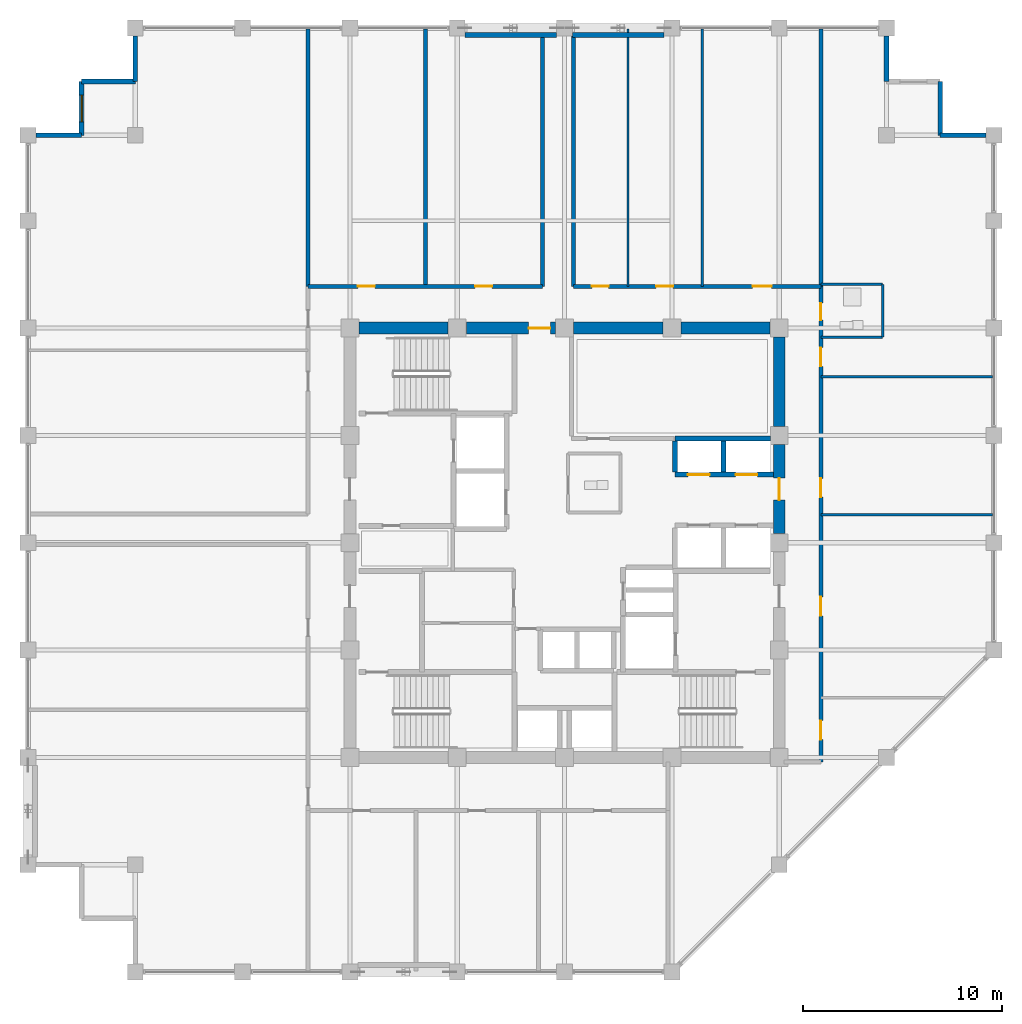
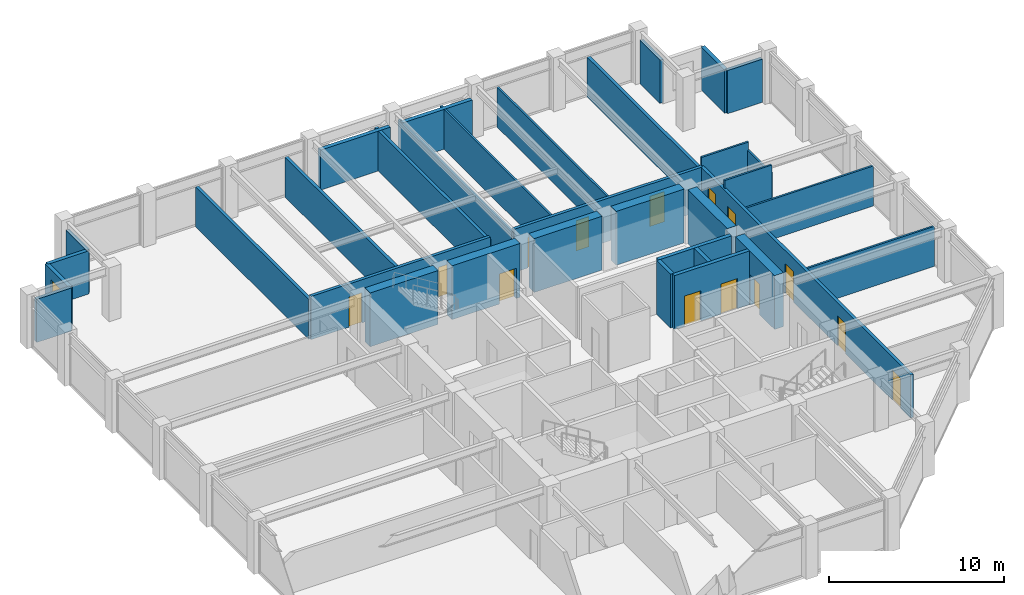
# One storey, part 29 of 32: 34 walls, 14 doors, 1 window, 15 openings.
"""IFC4 building model written with IfcOpenShell, lengths in metres."""

from ifc_helpers import new_model, si_unit, direction, frame, frame_2d, origin, place, context, subcontext, project, spatial, rectangle, extrude, material, layer, layer_set, type_object, element, fill, save


model = new_model("IFC4")

# Units and contexts
model_context = context("Model", 3, precision=1e-05, world=origin(), true_north=direction((0.0, 1.0)))
body_context = subcontext(model_context, "Body", "Model", "MODEL_VIEW")
ifc_project = project(units=[si_unit("LENGTHUNIT", "METRE"), si_unit("AREAUNIT", "SQUARE_METRE"), si_unit("VOLUMEUNIT", "CUBIC_METRE"), si_unit("PLANEANGLEUNIT", "RADIAN"), si_unit("MASSUNIT", "GRAM", prefix="KILO")], contexts=[model_context])

# Site, building, storey
site_placement = place(None, origin())
site = spatial("IfcSite", under=ifc_project, at=site_placement, CompositionType="ELEMENT")
building_placement = place(site_placement, origin())
building = spatial("IfcBuilding", under=site, at=building_placement, Name="Surkhivell Harbour Commons", CompositionType="ELEMENT")
storey_placement = place(building_placement, frame((0.0, 0.0, 216.0)))
storey = spatial("IfcBuildingStorey", under=building, at=storey_placement, Name="L56", CompositionType="ELEMENT", Elevation=216.0)

# Wall
ifc_material_1 = material(Name="Concrete C60/75", Category="concrete")
ifc_layer_1 = layer(ifc_material_1, 0.60009765625)
ifc_layer_set_1 = layer_set([ifc_layer_1], Name="Concrete C60/75")
wall_type_1 = type_object("IfcWallType", Name="WAL-CORE-600", PredefinedType="SHEAR", material=ifc_layer_set_1)
wall_1_placement = place(storey_placement, frame((-10.340087890625, 10.800048828125, 0.0), z_axis=(0.0, 0.0, 1.0), x_axis=(1.0, 0.0, 0.0)))
element("IfcWall", 1, at=wall_1_placement, inside=storey, type_object=wall_type_1, Name="L56 Core Shear Wall North 1", PredefinedType="SHEAR", context=body_context, shape_type="SweptSolid", body=[
    extrude(rectangle(XDim=4.47998046875, YDim=0.60009765625, at=frame_2d((2.239990234375, 0.0))), origin(), (0.0, 0.0, 1.0), 3.75),
])

# Wall, opening, door
wall_2_placement = place(storey_placement, frame((-4.93994140625, 10.800048828125, 0.0), z_axis=(0.0, 0.0, 1.0), x_axis=(1.0, 0.0, 0.0)))
wall_2 = element("IfcWall", 2, at=wall_2_placement, inside=storey, type_object=wall_type_1, Name="L56 Core Shear Wall North 2", PredefinedType="SHEAR", context=body_context, shape_type="SweptSolid", body=[
    extrude(rectangle(XDim=4.47998046875, YDim=0.60009765625, at=frame_2d((2.239990234375, 0.0))), origin(), (0.0, 0.0, 1.0), 3.75),
])
opening_1_placement = place(wall_2_placement, frame((3.1298828125, 0.0, 0.0)))
opening_1 = element("IfcOpeningElement", 3, at=opening_1_placement, cuts=wall_2, Name="Opening ID-2", PredefinedType="OPENING", context=body_context, shape_type="SweptSolid", body=[
    extrude(rectangle(XDim=1.10009765625, YDim=2.10009765625, at=frame_2d((0.550048828125, 1.050048828125))), frame((0.0, 0.31005859375, 0.0), z_axis=(0.0, -1.0, 0.0), x_axis=(1.0, 0.0, 0.0)), (0.0, 0.0, 1.0), 0.6201171875),
])
ifc_material_2 = material(Name="Hardwood-veneered fire-rated door leaf", Category="wood")
door_type_1 = type_object("IfcDoorType", Name="DOR-FD60-1100", OperationType="NOTDEFINED", PredefinedType="DOOR", material=ifc_material_2)
door_1_placement = place(opening_1_placement, origin())
door_1 = element("IfcDoor", 4, at=door_1_placement, inside=storey, type_object=door_type_1, Name="L56 Central Core Lift Hall North Corridor Door", OperationType="SINGLE_SWING_LEFT", OverallHeight=2.10009765625, OverallWidth=1.10009765625, PredefinedType="DOOR", context=body_context, shape_type="SweptSolid", body=[
    extrude(rectangle(XDim=1.10009765625, YDim=2.10009765625, at=frame_2d((0.550048828125, 1.050048828125))), frame((0.0, 0.02490234375, 0.0), z_axis=(0.0, -1.0, 0.0), x_axis=(1.0, 0.0, 0.0)), (0.0, 0.0, 1.0), 0.050048828125),
])
fill(opening_1, door_1)

# Wall
wall_3_placement = place(storey_placement, frame((0.4599609375, 10.800048828125, 0.0), z_axis=(0.0, 0.0, 1.0), x_axis=(1.0, 0.0, 0.0)))
element("IfcWall", 5, at=wall_3_placement, inside=storey, type_object=wall_type_1, Name="L56 Core Shear Wall North 3", PredefinedType="SHEAR", context=body_context, shape_type="SweptSolid", body=[
    extrude(rectangle(XDim=4.47998046875, YDim=0.60009765625, at=frame_2d((2.239990234375, 0.0))), origin(), (0.0, 0.0, 1.0), 3.75),
])

# Wall, opening, door
wall_4_placement = place(storey_placement, frame((10.800048828125, 0.4599609375, 0.0), z_axis=(0.0, 0.0, 1.0), x_axis=(0.0, 1.0, 0.0)))
wall_4 = element("IfcWall", 6, at=wall_4_placement, inside=storey, type_object=wall_type_1, Name="L56 Core Shear Wall East 3", PredefinedType="SHEAR", context=body_context, shape_type="SweptSolid", body=[
    extrude(rectangle(XDim=4.47998046875, YDim=0.60009765625, at=frame_2d((2.239990234375, 0.0))), origin(), (0.0, 0.0, 1.0), 3.75),
])
opening_2_placement = place(wall_4_placement, frame((1.68994140625, 0.0, 0.0)))
opening_2 = element("IfcOpeningElement", 7, at=opening_2_placement, cuts=wall_4, Name="Opening ID-2", PredefinedType="OPENING", context=body_context, shape_type="SweptSolid", body=[
    extrude(rectangle(XDim=1.10009765625, YDim=2.10009765625, at=frame_2d((0.550048828125, 1.050048828125))), frame((0.0, 0.31005859375, 0.0), z_axis=(0.0, -1.0, 0.0), x_axis=(1.0, 0.0, 0.0)), (0.0, 0.0, 1.0), 0.6201171875),
])
door_2_placement = place(opening_2_placement, origin())
door_2 = element("IfcDoor", 8, at=door_2_placement, inside=storey, type_object=door_type_1, Name="L56 Mid-Rise Lobby East Door", OperationType="SINGLE_SWING_LEFT", OverallHeight=2.10009765625, OverallWidth=1.10009765625, PredefinedType="DOOR", context=body_context, shape_type="SweptSolid", body=[
    extrude(rectangle(XDim=1.10009765625, YDim=2.10009765625, at=frame_2d((0.550048828125, 1.050048828125))), frame((0.0, 0.02490234375, 0.0), z_axis=(0.0, -1.0, 0.0), x_axis=(1.0, 0.0, 0.0)), (0.0, 0.0, 1.0), 0.050048828125),
])
fill(opening_2, door_2)

# Walls
for number, where, z_axis, x_axis, name in (
    (9, (5.860107421875, 10.800048828125, 0.0), (0.0, 0.0, 1.0), (1.0, 0.0, 0.0), "L56 Core Shear Wall North 4"),
    (10, (10.800048828125, 5.860107421875, 0.0), (0.0, 0.0, 1.0), (0.0, 1.0, 0.0), "L56 Core Shear Wall East 4"),
):
    element("IfcWall", number, at=place(storey_placement, frame(where, z_axis=z_axis, x_axis=x_axis)), inside=storey, type_object=wall_type_1, Name=name, PredefinedType="SHEAR", context=body_context, shape_type="SweptSolid", body=[
        extrude(rectangle(XDim=4.47998046875, YDim=0.60009765625, at=frame_2d((2.239990234375, 0.0))), origin(), (0.0, 0.0, 1.0), 3.75),
    ])
ifc_material_3 = material(Name="Pale-metal insulated precast concrete C45/55", Category="concrete")
ifc_layer_2 = layer(ifc_material_3, 0.260009765625)
ifc_layer_set_2 = layer_set([ifc_layer_2], Name="Pale-metal insulated precast concrete C45/55")
wall_type_2 = type_object("IfcWallType", Name="WAL-EXT-MTL260", PredefinedType="STANDARD", material=ifc_layer_set_2)
for number, where, z_axis, x_axis, name in (
    (11, (-0.39794921875, 25.5400390625, 0.0), (0.0, 0.0, 1.0), (-1.0, 0.0, 0.0), "L56 Braced-Bay Insulated Spandrel Backing N"),
    (12, (5.001953125, 25.5400390625, 0.0), (0.0, 0.0, 1.0), (-1.0, 0.0, 0.0), "L56 Braced-Bay Insulated Spandrel Backing N2"),
):
    element("IfcWall", number, at=place(storey_placement, frame(where, z_axis=z_axis, x_axis=x_axis)), inside=storey, type_object=wall_type_2, Name=name, PredefinedType="STANDARD", context=body_context, shape_type="SweptSolid", body=[
        extrude(rectangle(XDim=4.60400390625, YDim=0.260009765625, at=frame_2d((2.302001953125, 0.0))), origin(), (0.0, 0.0, 1.0), 2.780029296875),
    ])
ifc_material_4 = material(Name="Bronze-ochre cassette precast concrete C45/55", Category="concrete")
ifc_layer_3 = layer(ifc_material_4, 0.239990234375)
ifc_layer_set_3 = layer_set([ifc_layer_3], Name="Bronze-ochre cassette precast concrete C45/55")
wall_type_3 = type_object("IfcWallType", Name="WAL-EXT-OCH240", PredefinedType="STANDARD", material=ifc_layer_set_3)
wall_5_placement = place(storey_placement, frame((21.201904296875, 20.5, 0.0), z_axis=(0.0, 0.0, 1.0), x_axis=(-1.0, 0.0, 0.0)))
element("IfcWall", 13, at=wall_5_placement, inside=storey, type_object=wall_type_3, Name="L56 Serrated Corner Facade Wall 03", PredefinedType="STANDARD", context=body_context, shape_type="SweptSolid", body=[
    extrude(rectangle(XDim=2.302001953125, YDim=0.239990234375, at=frame_2d((1.15087890625, 0.0))), origin(), (0.0, 0.0, 1.0), 3.006103515625),
])
wall_6_placement = place(storey_placement, frame((18.89990234375, 20.5, 0.0), z_axis=(0.0, 0.0, 1.0), x_axis=(0.0, 1.0, 0.0)))
element("IfcWall", 14, at=wall_6_placement, inside=storey, type_object=wall_type_3, Name="L56 Serrated Corner Facade Wall 04", PredefinedType="STANDARD", context=body_context, shape_type="SweptSolid", body=[
    extrude(rectangle(XDim=2.699951171875, YDim=0.239990234375, at=frame_2d((1.35009765625, 0.0))), origin(), (0.0, 0.0, 1.0), 3.006103515625),
])
for number, where, z_axis, x_axis, name in (
    (15, (16.199951171875, 23.199951171875, 0.0), (0.0, 0.0, 1.0), (0.0, 1.0, 0.0), "L56 Serrated Corner Facade Wall 06"),
    (16, (-21.60009765625, 25.501953125, 0.0), (0.0, 0.0, 1.0), (0.0, -1.0, 0.0), "L56 Serrated Corner Facade Wall 08"),
):
    element("IfcWall", number, at=place(storey_placement, frame(where, z_axis=z_axis, x_axis=x_axis)), inside=storey, type_object=wall_type_3, Name=name, PredefinedType="STANDARD", context=body_context, shape_type="SweptSolid", body=[
        extrude(rectangle(XDim=2.302001953125, YDim=0.239990234375, at=frame_2d((1.15087890625, 0.0))), origin(), (0.0, 0.0, 1.0), 3.006103515625),
    ])
wall_7_placement = place(storey_placement, frame((-21.60009765625, 23.199951171875, 0.0), z_axis=(0.0, 0.0, 1.0), x_axis=(-1.0, 0.0, 0.0)))
element("IfcWall", 17, at=wall_7_placement, inside=storey, type_object=wall_type_3, Name="L56 Serrated Corner Facade Wall 09", PredefinedType="STANDARD", context=body_context, shape_type="SweptSolid", body=[
    extrude(rectangle(XDim=2.699951171875, YDim=0.239990234375, at=frame_2d((1.35009765625, 0.0))), origin(), (0.0, 0.0, 1.0), 3.006103515625),
])

# Wall, opening, window
wall_8_placement = place(storey_placement, frame((-24.300048828125, 23.199951171875, 0.0), z_axis=(0.0, 0.0, 1.0), x_axis=(0.0, -1.0, 0.0)))
wall_8 = element("IfcWall", 18, at=wall_8_placement, inside=storey, type_object=wall_type_3, Name="L56 Serrated Corner Facade Wall 10", PredefinedType="STANDARD", context=body_context, shape_type="SweptSolid", body=[
    extrude(rectangle(XDim=2.699951171875, YDim=0.239990234375, at=frame_2d((1.35009765625, 0.0))), origin(), (0.0, 0.0, 1.0), 3.006103515625),
])
opening_3_placement = place(wall_8_placement, frame((0.675048828125, 0.0, 0.64990234375)))
opening_3 = element("IfcOpeningElement", 19, at=opening_3_placement, cuts=wall_8, Name="Opening WN-08", PredefinedType="OPENING", context=body_context, shape_type="SweptSolid", body=[
    extrude(rectangle(XDim=1.35009765625, YDim=1.64990234375, at=frame_2d((0.675048828125, 0.824951171875))), frame((0.0, 0.1298828125, 0.0), z_axis=(0.0, -1.0, 0.0), x_axis=(1.0, 0.0, 0.0)), (0.0, 0.0, 1.0), 0.260009765625),
])
ifc_material_5 = material(Name="Thermal-break aluminium frame and double low-E glazing", Category="aluminium")
window_type = type_object("IfcWindowType", Name="WIN-SER-1350x1650", PartitioningType="SINGLE_PANEL", PredefinedType="WINDOW", material=ifc_material_5)
window_placement = place(opening_3_placement, origin())
window = element("IfcWindow", 20, at=window_placement, inside=storey, type_object=window_type, Name="L56 Serrated Alcove Window 10", OverallHeight=1.64990234375, OverallWidth=1.35009765625, PartitioningType="SINGLE_PANEL", PredefinedType="WINDOW", context=body_context, shape_type="SweptSolid", body=[
    extrude(rectangle(XDim=1.35009765625, YDim=1.64990234375, at=frame_2d((0.675048828125, 0.824951171875))), frame((0.0, 0.030029296875, 0.0), z_axis=(0.0, -1.0, 0.0), x_axis=(1.0, 0.0, 0.0)), (0.0, 0.0, 1.0), 0.06005859375),
])
fill(opening_3, window)

# Walls
wall_9_placement = place(storey_placement, frame((-24.300048828125, 20.5, 0.0), z_axis=(0.0, 0.0, 1.0), x_axis=(-1.0, 0.0, 0.0)))
element("IfcWall", 21, at=wall_9_placement, inside=storey, type_object=wall_type_3, Name="L56 Serrated Corner Facade Wall 11", PredefinedType="STANDARD", context=body_context, shape_type="SweptSolid", body=[
    extrude(rectangle(XDim=2.302001953125, YDim=0.239990234375, at=frame_2d((1.15087890625, 0.0))), origin(), (0.0, 0.0, 1.0), 3.006103515625),
])
ifc_material_6 = material(Name="Moisture-resistant acoustic stud partition", Category="other")
ifc_layer_4 = layer(ifc_material_6, 0.125)
ifc_layer_set_4 = layer_set([ifc_layer_4], Name="Moisture-resistant acoustic stud partition")
wall_type_4 = type_object("IfcWallType", Name="WAL-INT-125", PredefinedType="PARTITIONING", material=ifc_layer_set_4)
wall_10_placement = place(storey_placement, frame((12.89990234375, 1.409912109375, 0.0), z_axis=(0.0, 0.0, 1.0), x_axis=(1.0, 0.0, 0.0)))
element("IfcWall", 22, at=wall_10_placement, inside=storey, type_object=wall_type_4, Name="L56 East Partition BDP1", PredefinedType="PARTITIONING", context=body_context, shape_type="SweptSolid", body=[
    extrude(rectangle(XDim=8.64013671875, YDim=0.125, at=frame_2d((4.320068359375, 0.0))), origin(), (0.0, 0.0, 1.0), 2.780029296875),
])
wall_11_placement = place(storey_placement, frame((16.0, 10.35009765625, 0.0), z_axis=(0.0, 0.0, 1.0), x_axis=(0.0, 1.0, 0.0)))
element("IfcWall", 23, at=wall_11_placement, inside=storey, type_object=wall_type_4, Name="L56 East Partition BTHB", PredefinedType="PARTITIONING", context=body_context, shape_type="SweptSolid", body=[
    extrude(rectangle(XDim=2.64990234375, YDim=0.125, at=frame_2d((1.324951171875, 0.0))), origin(), (0.0, 0.0, 1.0), 3.006103515625),
])
for number, where, z_axis, x_axis, name in (
    (24, (12.89990234375, 13.0, 0.0), (0.0, 0.0, 1.0), (1.0, 0.0, 0.0), "L56 East Partition BTHN"),
    (25, (12.89990234375, 10.35009765625, 0.0), (0.0, 0.0, 1.0), (1.0, 0.0, 0.0), "L56 East Partition BTHS"),
):
    element("IfcWall", number, at=place(storey_placement, frame(where, z_axis=z_axis, x_axis=x_axis)), inside=storey, type_object=wall_type_4, Name=name, PredefinedType="PARTITIONING", context=body_context, shape_type="SweptSolid", body=[
        extrude(rectangle(XDim=3.10009765625, YDim=0.125, at=frame_2d((1.550048828125, 0.0))), origin(), (0.0, 0.0, 1.0), 3.570068359375),
    ])
wall_12_placement = place(storey_placement, frame((12.89990234375, 8.35009765625, 0.0), z_axis=(0.0, 0.0, 1.0), x_axis=(1.0, 0.0, 0.0)))
element("IfcWall", 26, at=wall_12_placement, inside=storey, type_object=wall_type_4, Name="L56 East Partition PTOP", PredefinedType="PARTITIONING", context=body_context, shape_type="SweptSolid", body=[
    extrude(rectangle(XDim=8.64013671875, YDim=0.125, at=frame_2d((4.320068359375, 0.0))), origin(), (0.0, 0.0, 1.0), 2.780029296875),
])
for number, where, z_axis, x_axis, name in (
    (27, (3.18994140625, 12.89990234375, 0.0), (0.0, 0.0, 1.0), (0.0, 1.0, 0.0), "L56 North-East Partition P1"),
    (28, (6.919921875, 12.89990234375, 0.0), (0.0, 0.0, 1.0), (0.0, 1.0, 0.0), "L56 North-East Partition P2"),
):
    element("IfcWall", number, at=place(storey_placement, frame(where, z_axis=z_axis, x_axis=x_axis)), inside=storey, type_object=wall_type_4, Name=name, PredefinedType="PARTITIONING", context=body_context, shape_type="SweptSolid", body=[
        extrude(rectangle(XDim=12.940185546875, YDim=0.125, at=frame_2d((6.47021484375, 0.0))), origin(), (0.0, 0.0, 1.0), 2.780029296875),
    ])
ifc_material_7 = material(Name="Autoclaved aerated concrete blockwork and fire plaster", Category="masonry")
ifc_layer_5 = layer(ifc_material_7, 0.199951171875)
ifc_layer_set_5 = layer_set([ifc_layer_5], Name="Autoclaved aerated concrete blockwork and fire plaster")
wall_type_5 = type_object("IfcWallType", Name="WAL-INT-200", PredefinedType="PARTITIONING", material=ifc_layer_set_5)
for number, where, z_axis, x_axis, name in (
    (29, (12.89990234375, 12.89990234375, 0.0), (0.0, 0.0, 1.0), (0.0, 1.0, 0.0), "L56 North-East Corner Wall"),
    (30, (-12.89990234375, 12.89990234375, 0.0), (0.0, 0.0, 1.0), (0.0, 1.0, 0.0), "L56 North-West Corner Wall"),
):
    element("IfcWall", number, at=place(storey_placement, frame(where, z_axis=z_axis, x_axis=x_axis)), inside=storey, type_object=wall_type_5, Name=name, PredefinedType="PARTITIONING", context=body_context, shape_type="SweptSolid", body=[
        extrude(rectangle(XDim=12.940185546875, YDim=0.199951171875, at=frame_2d((6.47021484375, 0.0))), origin(), (0.0, 0.0, 1.0), 2.780029296875),
    ])

# Wall, openings, doors
wall_13_placement = place(storey_placement, frame((12.89990234375, -11.0400390625, 0.0), z_axis=(0.0, 0.0, 1.0), x_axis=(0.0, 1.0, 0.0)))
wall_13 = element("IfcWall", 31, at=wall_13_placement, inside=storey, type_object=wall_type_5, Name="L56 Corridor East Wall", PredefinedType="PARTITIONING", context=body_context, shape_type="SweptSolid", body=[
    extrude(rectangle(XDim=23.93994140625, YDim=0.199951171875, at=frame_2d((11.969970703125, 0.0))), origin(), (0.0, 0.0, 1.0), 3.006103515625),
])
opening_4_placement = place(wall_13_placement, frame((1.139892578125, 0.0, 0.0)))
opening_4 = element("IfcOpeningElement", 32, at=opening_4_placement, cuts=wall_13, Name="Opening ID-4", PredefinedType="OPENING", context=body_context, shape_type="SweptSolid", body=[
    extrude(rectangle(XDim=0.949951171875, YDim=2.10009765625, at=frame_2d((0.47509765625, 1.050048828125))), frame((0.0, 0.10986328125, 0.0), z_axis=(0.0, -1.0, 0.0), x_axis=(1.0, 0.0, 0.0)), (0.0, 0.0, 1.0), 0.219970703125),
])
opening_5_placement = place(wall_13_placement, frame((22.2451171875, 0.0, 0.0)))
opening_5 = element("IfcOpeningElement", 33, at=opening_5_placement, cuts=wall_13, Name="Opening ID-6", PredefinedType="OPENING", context=body_context, shape_type="SweptSolid", body=[
    extrude(rectangle(XDim=0.85009765625, YDim=2.10009765625, at=frame_2d((0.425048828125, 1.050048828125))), frame((0.0, 0.10986328125, 0.0), z_axis=(0.0, -1.0, 0.0), x_axis=(1.0, 0.0, 0.0)), (0.0, 0.0, 1.0), 0.219970703125),
])
opening_6_placement = place(wall_13_placement, frame((19.909912109375, 0.0, 0.0)))
opening_6 = element("IfcOpeningElement", 34, at=opening_6_placement, cuts=wall_13, Name="Opening ID-4", PredefinedType="OPENING", context=body_context, shape_type="SweptSolid", body=[
    extrude(rectangle(XDim=0.949951171875, YDim=2.10009765625, at=frame_2d((0.47509765625, 1.050048828125))), frame((0.0, 0.10986328125, 0.0), z_axis=(0.0, -1.0, 0.0), x_axis=(1.0, 0.0, 0.0)), (0.0, 0.0, 1.0), 0.219970703125),
])
opening_7_placement = place(wall_13_placement, frame((7.364990234375, 0.0, 0.0)))
opening_7 = element("IfcOpeningElement", 35, at=opening_7_placement, cuts=wall_13, Name="Opening ID-4", PredefinedType="OPENING", context=body_context, shape_type="SweptSolid", body=[
    extrude(rectangle(XDim=0.949951171875, YDim=2.10009765625, at=frame_2d((0.47509765625, 1.050048828125))), frame((0.0, 0.10986328125, 0.0), z_axis=(0.0, -1.0, 0.0), x_axis=(1.0, 0.0, 0.0)), (0.0, 0.0, 1.0), 0.219970703125),
])
opening_8_placement = place(wall_13_placement, frame((13.333251953125, 0.0, 0.0)))
opening_8 = element("IfcOpeningElement", 36, at=opening_8_placement, cuts=wall_13, Name="Opening ID-4", PredefinedType="OPENING", context=body_context, shape_type="SweptSolid", body=[
    extrude(rectangle(XDim=0.949951171875, YDim=2.10009765625, at=frame_2d((0.47509765625, 1.050048828125))), frame((0.0, 0.10986328125, 0.0), z_axis=(0.0, -1.0, 0.0), x_axis=(1.0, 0.0, 0.0)), (0.0, 0.0, 1.0), 0.219970703125),
])
door_type_2 = type_object("IfcDoorType", Name="DOR-FD30-850", OperationType="NOTDEFINED", PredefinedType="DOOR", material=ifc_material_2)
door_3_placement = place(opening_5_placement, origin())
door_3 = element("IfcDoor", 37, at=door_3_placement, inside=storey, type_object=door_type_2, Name="L56 Communal Shower Bathroom East Door", OperationType="SINGLE_SWING_RIGHT", OverallHeight=2.10009765625, OverallWidth=0.85009765625, PredefinedType="DOOR", context=body_context, shape_type="SweptSolid", body=[
    extrude(rectangle(XDim=0.85009765625, YDim=2.10009765625, at=frame_2d((0.425048828125, 1.050048828125))), frame((0.0, 0.02490234375, 0.0), z_axis=(0.0, -1.0, 0.0), x_axis=(1.0, 0.0, 0.0)), (0.0, 0.0, 1.0), 0.050048828125),
])
fill(opening_5, door_3)
door_type_3 = type_object("IfcDoorType", Name="DOR-FD60-950", OperationType="NOTDEFINED", PredefinedType="DOOR", material=ifc_material_2)
door_4_placement = place(opening_4_placement, origin())
door_4 = element("IfcDoor", 38, at=door_4_placement, inside=storey, type_object=door_type_3, Name="L56 Shared Communal Kitchen East Door", OperationType="SINGLE_SWING_LEFT", OverallHeight=2.10009765625, OverallWidth=0.949951171875, PredefinedType="DOOR", context=body_context, shape_type="SweptSolid", body=[
    extrude(rectangle(XDim=0.949951171875, YDim=2.10009765625, at=frame_2d((0.47509765625, 1.050048828125))), frame((0.0, 0.02490234375, 0.0), z_axis=(0.0, -1.0, 0.0), x_axis=(1.0, 0.0, 0.0)), (0.0, 0.0, 1.0), 0.050048828125),
])
fill(opening_4, door_4)
door_5_placement = place(opening_6_placement, origin())
door_5 = element("IfcDoor", 39, at=door_5_placement, inside=storey, type_object=door_type_3, Name="L56 Academic Reading Commons East Door", OperationType="SINGLE_SWING_LEFT", OverallHeight=2.10009765625, OverallWidth=0.949951171875, PredefinedType="DOOR", context=body_context, shape_type="SweptSolid", body=[
    extrude(rectangle(XDim=0.949951171875, YDim=2.10009765625, at=frame_2d((0.47509765625, 1.050048828125))), frame((0.0, 0.02490234375, 0.0), z_axis=(0.0, -1.0, 0.0), x_axis=(1.0, 0.0, 0.0)), (0.0, 0.0, 1.0), 0.050048828125),
])
fill(opening_6, door_5)
door_6_placement = place(opening_7_placement, origin())
door_6 = element("IfcDoor", 40, at=door_6_placement, inside=storey, type_object=door_type_3, Name="L56 Hostel Cluster Bedroom 1 East Door", OperationType="SINGLE_SWING_RIGHT", OverallHeight=2.10009765625, OverallWidth=0.949951171875, PredefinedType="DOOR", context=body_context, shape_type="SweptSolid", body=[
    extrude(rectangle(XDim=0.949951171875, YDim=2.10009765625, at=frame_2d((0.47509765625, 1.050048828125))), frame((0.0, 0.02490234375, 0.0), z_axis=(0.0, -1.0, 0.0), x_axis=(1.0, 0.0, 0.0)), (0.0, 0.0, 1.0), 0.050048828125),
])
fill(opening_7, door_6)
door_7_placement = place(opening_8_placement, origin())
door_7 = element("IfcDoor", 41, at=door_7_placement, inside=storey, type_object=door_type_3, Name="L56 Co-Living Dormitory Bedroom 2 East Door", OperationType="SINGLE_SWING_LEFT", OverallHeight=2.10009765625, OverallWidth=0.949951171875, PredefinedType="DOOR", context=body_context, shape_type="SweptSolid", body=[
    extrude(rectangle(XDim=0.949951171875, YDim=2.10009765625, at=frame_2d((0.47509765625, 1.050048828125))), frame((0.0, 0.02490234375, 0.0), z_axis=(0.0, -1.0, 0.0), x_axis=(1.0, 0.0, 0.0)), (0.0, 0.0, 1.0), 0.050048828125),
])
fill(opening_8, door_7)

wall_14_placement = place(storey_placement, frame((-12.89990234375, 12.89990234375, 0.0), z_axis=(0.0, 0.0, 1.0), x_axis=(1.0, 0.0, 0.0)))
wall_14 = element("IfcWall", 42, at=wall_14_placement, inside=storey, type_object=wall_type_5, Name="L56 Corridor North-West Wall", PredefinedType="PARTITIONING", context=body_context, shape_type="SweptSolid", body=[
    extrude(rectangle(XDim=11.7998046875, YDim=0.199951171875, at=frame_2d((5.89990234375, 0.0))), origin(), (0.0, 0.0, 1.0), 3.006103515625),
])
opening_9_placement = place(wall_14_placement, frame((2.5, 0.0, 0.0)))
opening_9 = element("IfcOpeningElement", 43, at=opening_9_placement, cuts=wall_14, Name="Opening ID-6", PredefinedType="OPENING", context=body_context, shape_type="SweptSolid", body=[
    extrude(rectangle(XDim=0.85009765625, YDim=2.10009765625, at=frame_2d((0.425048828125, 1.050048828125))), frame((0.0, 0.10986328125, 0.0), z_axis=(0.0, -1.0, 0.0), x_axis=(1.0, 0.0, 0.0)), (0.0, 0.0, 1.0), 0.219970703125),
])
opening_10_placement = place(wall_14_placement, frame((8.39990234375, 0.0, 0.0)))
opening_10 = element("IfcOpeningElement", 44, at=opening_10_placement, cuts=wall_14, Name="Opening ID-6", PredefinedType="OPENING", context=body_context, shape_type="SweptSolid", body=[
    extrude(rectangle(XDim=0.85009765625, YDim=2.10009765625, at=frame_2d((0.425048828125, 1.050048828125))), frame((0.0, 0.10986328125, 0.0), z_axis=(0.0, -1.0, 0.0), x_axis=(1.0, 0.0, 0.0)), (0.0, 0.0, 1.0), 0.219970703125),
])
door_8_placement = place(opening_9_placement, origin())
door_8 = element("IfcDoor", 45, at=door_8_placement, inside=storey, type_object=door_type_2, Name="L56 Campus Co-Op Bookshop North-West Door", OperationType="SINGLE_SWING_RIGHT", OverallHeight=2.10009765625, OverallWidth=0.85009765625, PredefinedType="DOOR", context=body_context, shape_type="SweptSolid", body=[
    extrude(rectangle(XDim=0.85009765625, YDim=2.10009765625, at=frame_2d((0.425048828125, 1.050048828125))), frame((0.0, 0.02490234375, 0.0), z_axis=(0.0, -1.0, 0.0), x_axis=(1.0, 0.0, 0.0)), (0.0, 0.0, 1.0), 0.050048828125),
])
fill(opening_9, door_8)
door_9_placement = place(opening_10_placement, origin())
door_9 = element("IfcDoor", 46, at=door_9_placement, inside=storey, type_object=door_type_2, Name="L56 Harbour Espresso Cafe Shop North-West Door", OperationType="SINGLE_SWING_LEFT", OverallHeight=2.10009765625, OverallWidth=0.85009765625, PredefinedType="DOOR", context=body_context, shape_type="SweptSolid", body=[
    extrude(rectangle(XDim=0.85009765625, YDim=2.10009765625, at=frame_2d((0.425048828125, 1.050048828125))), frame((0.0, 0.02490234375, 0.0), z_axis=(0.0, -1.0, 0.0), x_axis=(1.0, 0.0, 0.0)), (0.0, 0.0, 1.0), 0.050048828125),
])
fill(opening_10, door_9)

wall_15_placement = place(storey_placement, frame((0.449951171875, 12.89990234375, 0.0), z_axis=(0.0, 0.0, 1.0), x_axis=(1.0, 0.0, 0.0)))
wall_15 = element("IfcWall", 47, at=wall_15_placement, inside=storey, type_object=wall_type_5, Name="L56 Corridor North-East Wall", PredefinedType="PARTITIONING", context=body_context, shape_type="SweptSolid", body=[
    extrude(rectangle(XDim=12.449951171875, YDim=0.199951171875, at=frame_2d((6.22509765625, 0.0))), origin(), (0.0, 0.0, 1.0), 3.006103515625),
])
opening_11_placement = place(wall_15_placement, frame((0.919921875, 0.0, 0.0)))
opening_11 = element("IfcOpeningElement", 48, at=opening_11_placement, cuts=wall_15, Name="Opening ID-6", PredefinedType="OPENING", context=body_context, shape_type="SweptSolid", body=[
    extrude(rectangle(XDim=0.85009765625, YDim=2.10009765625, at=frame_2d((0.425048828125, 1.050048828125))), frame((0.0, 0.10986328125, 0.0), z_axis=(0.0, -1.0, 0.0), x_axis=(1.0, 0.0, 0.0)), (0.0, 0.0, 1.0), 0.219970703125),
])
opening_12_placement = place(wall_15_placement, frame((4.155029296875, 0.0, 0.0)))
opening_12 = element("IfcOpeningElement", 49, at=opening_12_placement, cuts=wall_15, Name="Opening ID-6", PredefinedType="OPENING", context=body_context, shape_type="SweptSolid", body=[
    extrude(rectangle(XDim=0.85009765625, YDim=2.10009765625, at=frame_2d((0.425048828125, 1.050048828125))), frame((0.0, 0.10986328125, 0.0), z_axis=(0.0, -1.0, 0.0), x_axis=(1.0, 0.0, 0.0)), (0.0, 0.0, 1.0), 0.219970703125),
])
opening_13_placement = place(wall_15_placement, frame((9.010009765625, 0.0, 0.0)))
opening_13 = element("IfcOpeningElement", 50, at=opening_13_placement, cuts=wall_15, Name="Opening ID-4", PredefinedType="OPENING", context=body_context, shape_type="SweptSolid", body=[
    extrude(rectangle(XDim=0.949951171875, YDim=2.10009765625, at=frame_2d((0.47509765625, 1.050048828125))), frame((0.0, 0.10986328125, 0.0), z_axis=(0.0, -1.0, 0.0), x_axis=(1.0, 0.0, 0.0)), (0.0, 0.0, 1.0), 0.219970703125),
])
door_10_placement = place(opening_11_placement, origin())
door_10 = element("IfcDoor", 51, at=door_10_placement, inside=storey, type_object=door_type_2, Name="L56 Co-Working Study Office 1 North-East Door", OperationType="SINGLE_SWING_RIGHT", OverallHeight=2.10009765625, OverallWidth=0.85009765625, PredefinedType="DOOR", context=body_context, shape_type="SweptSolid", body=[
    extrude(rectangle(XDim=0.85009765625, YDim=2.10009765625, at=frame_2d((0.425048828125, 1.050048828125))), frame((0.0, 0.02490234375, 0.0), z_axis=(0.0, -1.0, 0.0), x_axis=(1.0, 0.0, 0.0)), (0.0, 0.0, 1.0), 0.050048828125),
])
fill(opening_11, door_10)
door_11_placement = place(opening_12_placement, origin())
door_11 = element("IfcDoor", 52, at=door_11_placement, inside=storey, type_object=door_type_2, Name="L56 Co-Working Study Office 2 North-East Door", OperationType="SINGLE_SWING_LEFT", OverallHeight=2.10009765625, OverallWidth=0.85009765625, PredefinedType="DOOR", context=body_context, shape_type="SweptSolid", body=[
    extrude(rectangle(XDim=0.85009765625, YDim=2.10009765625, at=frame_2d((0.425048828125, 1.050048828125))), frame((0.0, 0.02490234375, 0.0), z_axis=(0.0, -1.0, 0.0), x_axis=(1.0, 0.0, 0.0)), (0.0, 0.0, 1.0), 0.050048828125),
])
fill(opening_12, door_11)
door_12_placement = place(opening_13_placement, origin())
door_12 = element("IfcDoor", 53, at=door_12_placement, inside=storey, type_object=door_type_3, Name="L56 Co-Working Study Office 3 North-East Door", OperationType="SINGLE_SWING_RIGHT", OverallHeight=2.10009765625, OverallWidth=0.949951171875, PredefinedType="DOOR", context=body_context, shape_type="SweptSolid", body=[
    extrude(rectangle(XDim=0.949951171875, YDim=2.10009765625, at=frame_2d((0.47509765625, 1.050048828125))), frame((0.0, 0.02490234375, 0.0), z_axis=(0.0, -1.0, 0.0), x_axis=(1.0, 0.0, 0.0)), (0.0, 0.0, 1.0), 0.050048828125),
])
fill(opening_13, door_12)

# Walls
for number, where, z_axis, x_axis, name in (
    (54, (0.449951171875, 12.89990234375, 0.0), (0.0, 0.0, 1.0), (0.0, 1.0, 0.0), "L56 North Spur East Wall"),
    (55, (-1.10009765625, 12.89990234375, 0.0), (0.0, 0.0, 1.0), (0.0, 1.0, 0.0), "L56 North Spur West Wall"),
    (56, (-7.0, 12.89990234375, 0.0), (0.0, 0.0, 1.0), (0.0, 1.0, 0.0), "L56 North-West Partition P1"),
):
    element("IfcWall", number, at=place(storey_placement, frame(where, z_axis=z_axis, x_axis=x_axis)), inside=storey, type_object=wall_type_5, Name=name, PredefinedType="PARTITIONING", context=body_context, shape_type="SweptSolid", body=[
        extrude(rectangle(XDim=12.940185546875, YDim=0.199951171875, at=frame_2d((6.47021484375, 0.0))), origin(), (0.0, 0.0, 1.0), 2.780029296875),
    ])
ifc_material_8 = material(Name="Concrete C50/60", Category="concrete")
ifc_layer_6 = layer(ifc_material_8, 0.25)
ifc_layer_set_6 = layer_set([ifc_layer_6], Name="Concrete C50/60")
wall_type_6 = type_object("IfcWallType", Name="WAL-SHAFT-250", PredefinedType="SHEAR", material=ifc_layer_set_6)
for number, where, z_axis, x_axis, name in (
    (57, (5.550048828125, 3.550048828125, 0.0), (0.0, 0.0, 1.0), (0.0, 1.0, 0.0), "L56 Mid-Rise Shaft Side Wall N"),
    (58, (8.0, 3.550048828125, 0.0), (0.0, 0.0, 1.0), (0.0, 1.0, 0.0), "L56 Mid-Rise Shaft Side Wall N"),
):
    element("IfcWall", number, at=place(storey_placement, frame(where, z_axis=z_axis, x_axis=x_axis)), inside=storey, type_object=wall_type_6, Name=name, PredefinedType="SHEAR", context=body_context, shape_type="SweptSolid", body=[
        extrude(rectangle(XDim=1.570068359375, YDim=0.25, at=frame_2d((0.78515625, 0.0))), origin(), (0.0, 0.0, 1.0), 3.75),
    ])

# Wall, openings, doors
wall_16_placement = place(storey_placement, frame((5.550048828125, 3.429931640625, 0.0), z_axis=(0.0, 0.0, 1.0), x_axis=(1.0, 0.0, 0.0)))
wall_16 = element("IfcWall", 59, at=wall_16_placement, inside=storey, type_object=wall_type_6, Name="L56 Mid-Rise North Front Shaft Wall", PredefinedType="SHEAR", context=body_context, shape_type="SweptSolid", body=[
    extrude(rectangle(XDim=4.949951171875, YDim=0.25, at=frame_2d((2.47509765625, 0.0))), origin(), (0.0, 0.0, 1.0), 3.75),
])
opening_14_placement = place(wall_16_placement, frame((0.64990234375, 0.0, 0.0)))
opening_14 = element("IfcOpeningElement", 60, at=opening_14_placement, cuts=wall_16, Name="Opening LD-1", PredefinedType="OPENING", context=body_context, shape_type="SweptSolid", body=[
    extrude(rectangle(XDim=1.10009765625, YDim=2.10009765625, at=frame_2d((0.550048828125, 1.050048828125))), frame((0.0, 0.135009765625, 0.0), z_axis=(0.0, -1.0, 0.0), x_axis=(1.0, 0.0, 0.0)), (0.0, 0.0, 1.0), 0.27001953125),
])
opening_15_placement = place(wall_16_placement, frame((3.050048828125, 0.0, 0.0)))
opening_15 = element("IfcOpeningElement", 61, at=opening_15_placement, cuts=wall_16, Name="Opening LD-1", PredefinedType="OPENING", context=body_context, shape_type="SweptSolid", body=[
    extrude(rectangle(XDim=1.10009765625, YDim=2.10009765625, at=frame_2d((0.550048828125, 1.050048828125))), frame((0.0, 0.135009765625, 0.0), z_axis=(0.0, -1.0, 0.0), x_axis=(1.0, 0.0, 0.0)), (0.0, 0.0, 1.0), 0.27001953125),
])
ifc_material_9 = material(Name="Brushed stainless steel S355", Category="steel")
door_type_4 = type_object("IfcDoorType", Name="DOR-LD-1100", OperationType="SLIDING_TO_LEFT", PredefinedType="DOOR", material=ifc_material_9)
door_13_placement = place(opening_14_placement, origin())
door_13 = element("IfcDoor", 62, at=door_13_placement, inside=storey, type_object=door_type_4, Name="L56 Lift Landing Door LD-PM1", OperationType="SLIDING_TO_RIGHT", OverallHeight=2.10009765625, OverallWidth=1.10009765625, PredefinedType="DOOR", context=body_context, shape_type="SweptSolid", body=[
    extrude(rectangle(XDim=1.10009765625, YDim=2.10009765625, at=frame_2d((0.550048828125, 1.050048828125))), frame((0.0, 0.02490234375, 0.0), z_axis=(0.0, -1.0, 0.0), x_axis=(1.0, 0.0, 0.0)), (0.0, 0.0, 1.0), 0.050048828125),
])
fill(opening_14, door_13)
door_14_placement = place(opening_15_placement, origin())
door_14 = element("IfcDoor", 63, at=door_14_placement, inside=storey, type_object=door_type_4, Name="L56 Lift Landing Door LD-PM2", OperationType="SLIDING_TO_RIGHT", OverallHeight=2.10009765625, OverallWidth=1.10009765625, PredefinedType="DOOR", context=body_context, shape_type="SweptSolid", body=[
    extrude(rectangle(XDim=1.10009765625, YDim=2.10009765625, at=frame_2d((0.550048828125, 1.050048828125))), frame((0.0, 0.02490234375, 0.0), z_axis=(0.0, -1.0, 0.0), x_axis=(1.0, 0.0, 0.0)), (0.0, 0.0, 1.0), 0.050048828125),
])
fill(opening_15, door_14)

# Wall
wall_17_placement = place(storey_placement, frame((5.550048828125, 5.239990234375, 0.0), z_axis=(0.0, 0.0, 1.0), x_axis=(1.0, 0.0, 0.0)))
element("IfcWall", 64, at=wall_17_placement, inside=storey, type_object=wall_type_6, Name="L56 Mid-Rise North Back Shaft Wall", PredefinedType="SHEAR", context=body_context, shape_type="SweptSolid", body=[
    extrude(rectangle(XDim=4.800048828125, YDim=0.25, at=frame_2d((2.39990234375, 0.0))), origin(), (0.0, 0.0, 1.0), 3.75),
])

save(model, "model.ifc")
